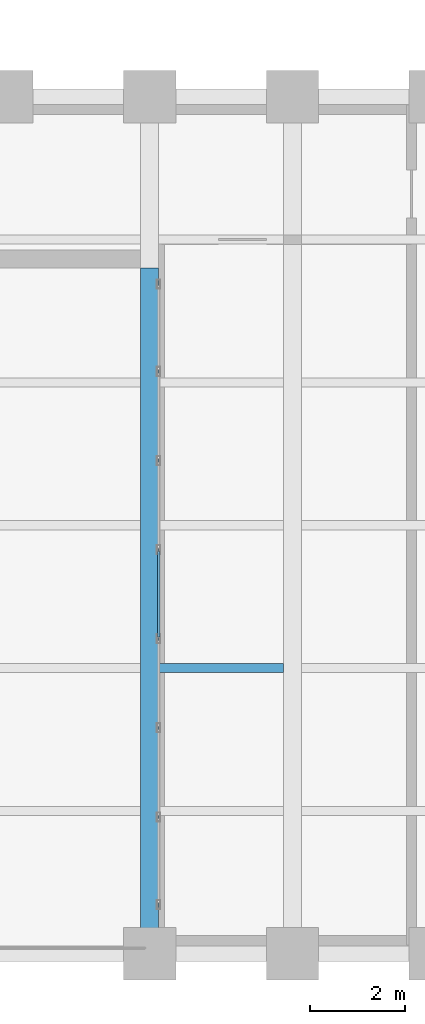
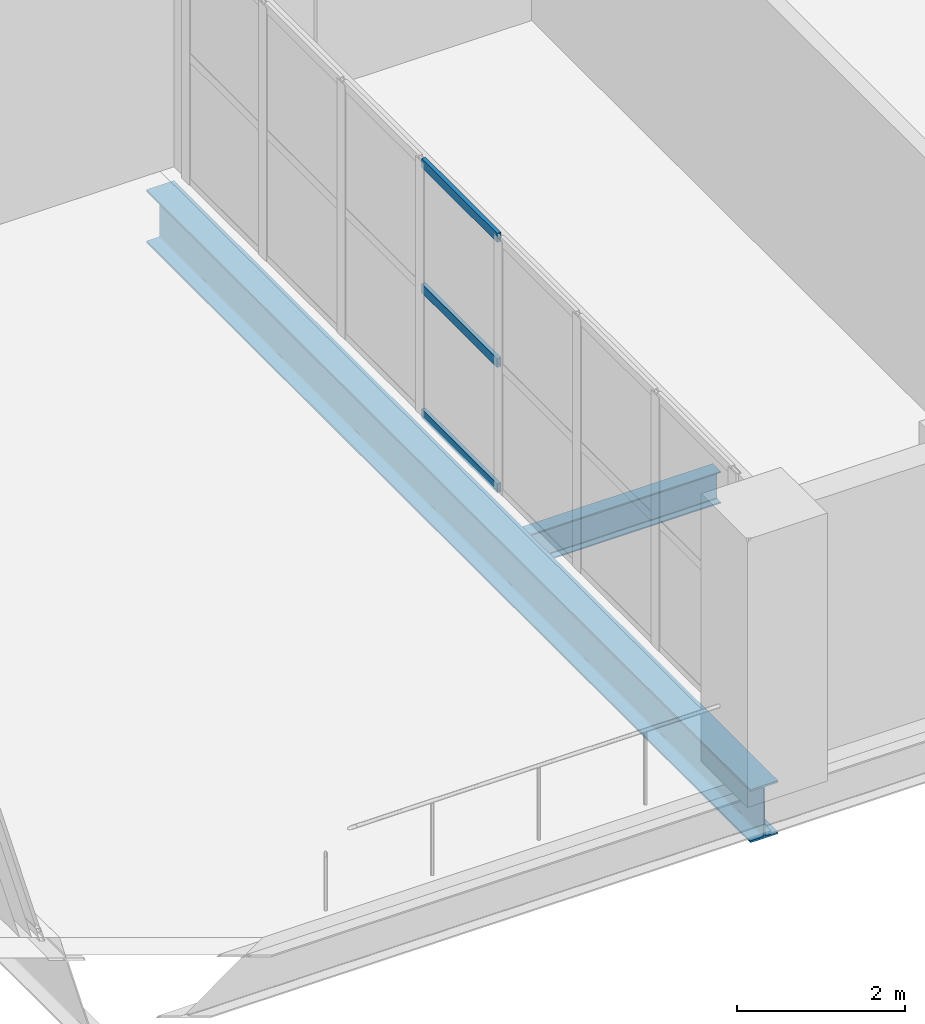
# One storey, part 4 of 12: 3 members, 2 beams, 1 element without a shape of its own.
"""IFC4 building model written with IfcOpenShell, lengths in metres."""

from ifc_helpers import new_model, si_unit, direction, frame, origin, origin_2d, place, context, subcontext, project, spatial, hollow_rectangle, i_section, extrude, material, layer, layer_set, material_profile, profile_set, type_object, element, aggregate, save


model = new_model("IFC4")

# Units and contexts
model_context = context("Model", 3, precision=1e-05, world=origin(), true_north=direction((0.0, 1.0)))
body_context = subcontext(model_context, "Body", "Model", "MODEL_VIEW")
ifc_project = project(units=[si_unit("LENGTHUNIT", "METRE"), si_unit("AREAUNIT", "SQUARE_METRE"), si_unit("VOLUMEUNIT", "CUBIC_METRE"), si_unit("PLANEANGLEUNIT", "RADIAN"), si_unit("MASSUNIT", "GRAM", prefix="KILO")], contexts=[model_context])

# Site, building, storey
site_placement = place(None, origin())
site = spatial("IfcSite", under=ifc_project, at=site_placement, CompositionType="ELEMENT")
building_placement = place(site_placement, origin())
building = spatial("IfcBuilding", under=site, at=building_placement, Name="Mawjdan Bourse Tower", CompositionType="ELEMENT")
storey_placement = place(building_placement, frame((0.0, 0.0, 120.60009765625)))
storey = spatial("IfcBuildingStorey", under=building, at=storey_placement, Name="L28", CompositionType="ELEMENT", Elevation=120.60009765625)

# Beams
ifc_material_1 = material(Name="Structural Steel S355", Category="steel")
ifc_material_profile_1 = material_profile(ifc_material_1, i_section(OverallWidth=0.381103515625, OverallDepth=0.77294921875, WebThickness=0.0166015625, FlangeThickness=0.027099609375, FilletRadius=0.021728515625, at=origin_2d()), Name="W30X173")
ifc_profile_set_1 = profile_set([ifc_material_profile_1], Name="Structural Steel S355")
beam_type_1 = type_object("IfcBeamType", Name="GRD-W30X173", PredefinedType="BEAM", material=ifc_profile_set_1)
beam_1_placement = place(storey_placement, frame((51.0, 3.0, -0.586669921875), z_axis=(0.0, 1.0, 0.0), x_axis=(-1.0, 0.0, 0.0)))
element("IfcBeam", 1, at=beam_1_placement, inside=storey, type_object=beam_type_1, Name="L28 East Wing Clear-Span Girder 005", PredefinedType="BEAM", context=body_context, shape_type="SweptSolid", body=[
    extrude(i_section(OverallWidth=0.381103515625, OverallDepth=0.77294921875, WebThickness=0.0166015625, FlangeThickness=0.027099609375, FilletRadius=0.021728515625, at=origin_2d()), origin(), (0.0, 0.0, 1.0), 14.39990234375),
])
ifc_material_profile_2 = material_profile(ifc_material_1, i_section(OverallWidth=0.19189453125, OverallDepth=0.462890625, WebThickness=0.010498046875, FlangeThickness=0.017578125, FilletRadius=0.01416015625, at=origin_2d()), Name="W18X60")
ifc_profile_set_2 = profile_set([ifc_material_profile_2], Name="Structural Steel S355")
beam_type_2 = type_object("IfcBeamType", Name="JST-W18X60", PredefinedType="JOIST", material=ifc_profile_set_2)
beam_2_placement = place(storey_placement, frame((51.1884765625, 9.0, -0.431640625), z_axis=(1.0, 0.0, 0.0), x_axis=(0.0, 1.0, 0.0)))
element("IfcBeam", 2, at=beam_2_placement, inside=storey, type_object=beam_type_2, Name="L28 East Wing Composite Joist 032", PredefinedType="JOIST", context=body_context, shape_type="SweptSolid", body=[
    extrude(i_section(OverallWidth=0.19189453125, OverallDepth=0.462890625, WebThickness=0.010498046875, FlangeThickness=0.017578125, FilletRadius=0.01416015625, at=origin_2d()), origin(), (0.0, 0.0, 1.0), 2.623046875),
])

# Curtain wall, members
ifc_material_2 = material(Name="Thermally Broken Aluminium and Solar Glass", Category="aluminium")
ifc_layer = layer(ifc_material_2, 0.219970703125)
ifc_layer_set = layer_set([ifc_layer], Name="Thermally Broken Aluminium and Solar Glass")
curtain_wall_type = type_object("IfcCurtainWallType", Name="CW-POR", PredefinedType="USERDEFINED", material=ifc_layer_set)
curtain_wall_placement = place(storey_placement, origin())
curtain_wall = element("IfcCurtainWall", 3, at=curtain_wall_placement, inside=storey, type_object=curtain_wall_type, Name="L28 East Void Portal Glazed Cheek 3", ObjectType="VOID PORTAL CURTAIN WALL", PredefinedType="USERDEFINED")
ifc_material_3 = material(Name="Thermally Broken Anodised Aluminium", Category="aluminium")
ifc_material_profile_3 = material_profile(ifc_material_3, hollow_rectangle(XDim=0.054931640625, YDim=0.1298828125, WallThickness=0.00341796875, at=origin_2d()), Name="ALU-TRN-130X55")
ifc_profile_set_3 = profile_set([ifc_material_profile_3], Name="Thermally Broken Anodised Aluminium")
member_type = type_object("IfcMemberType", Name="TRN-ALU-TRN-130X55", PredefinedType="USERDEFINED", material=ifc_profile_set_3)
member_1_placement = place(storey_placement, frame((51.18994140625, 11.45068359375, 0.02734375), z_axis=(0.0, -1.0, 0.0), x_axis=(1.0, 0.0, 0.0)))
member_1 = element("IfcMember", 4, at=member_1_placement, type_object=member_type, Name="CW-POR-L28-POR-E3 transom 4.1", ObjectType="TRANSOM", PredefinedType="USERDEFINED", context=body_context, shape_type="SweptSolid", body=[
    extrude(hollow_rectangle(XDim=0.054931640625, YDim=0.1298828125, WallThickness=0.00341796875, at=origin_2d()), origin(), (0.0, 0.0, 1.0), 1.801513671875),
])
member_2_placement = place(storey_placement, frame((51.18994140625, 11.45068359375, 1.849853515625), z_axis=(0.0, -1.0, 0.0), x_axis=(1.0, 0.0, 0.0)))
member_2 = element("IfcMember", 5, at=member_2_placement, type_object=member_type, Name="CW-POR-L28-POR-E3 transom 4.2", ObjectType="TRANSOM", PredefinedType="USERDEFINED", context=body_context, shape_type="SweptSolid", body=[
    extrude(hollow_rectangle(XDim=0.054931640625, YDim=0.1298828125, WallThickness=0.00341796875, at=origin_2d()), origin(), (0.0, 0.0, 1.0), 1.801513671875),
])
member_3_placement = place(storey_placement, frame((51.18994140625, 11.45068359375, 3.67236328125), z_axis=(0.0, -1.0, 0.0), x_axis=(1.0, 0.0, 0.0)))
member_3 = element("IfcMember", 6, at=member_3_placement, type_object=member_type, Name="CW-POR-L28-POR-E3 transom 4.3", ObjectType="TRANSOM", PredefinedType="USERDEFINED", context=body_context, shape_type="SweptSolid", body=[
    extrude(hollow_rectangle(XDim=0.054931640625, YDim=0.1298828125, WallThickness=0.00341796875, at=origin_2d()), origin(), (0.0, 0.0, 1.0), 1.801513671875),
])
aggregate(curtain_wall, [member_1, member_2, member_3])

save(model, "model.ifc")
